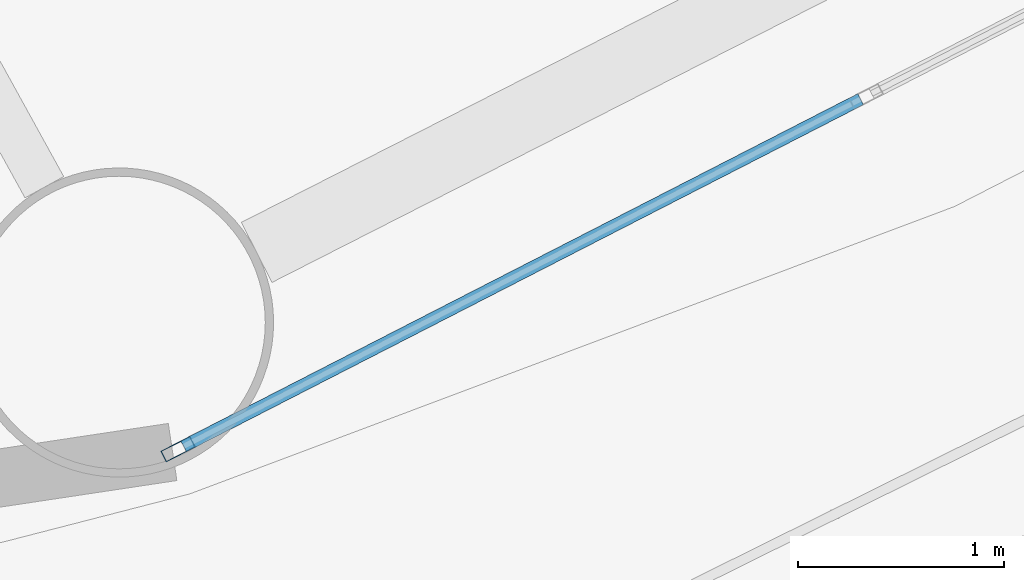
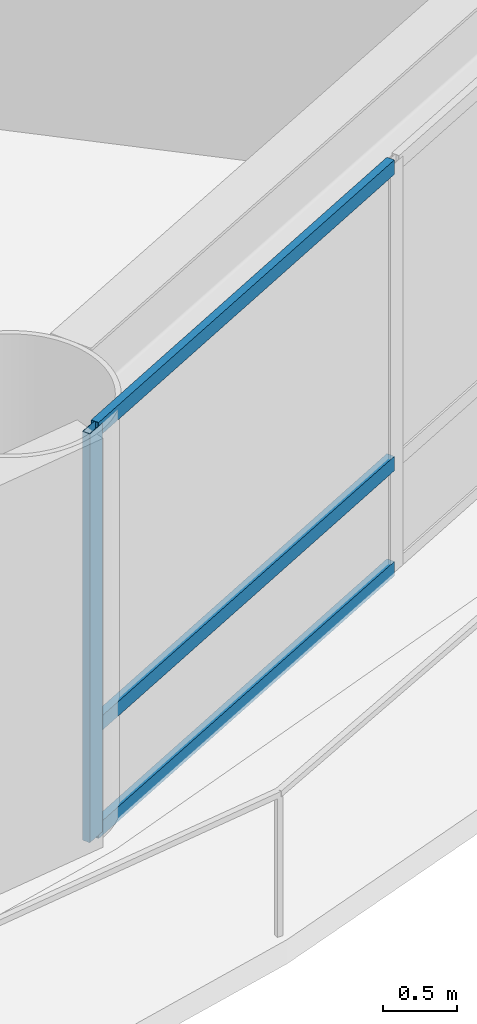
# One storey, part 6 of 28: 4 members, 1 element without a shape of its own.
"""IFC4 building model written with IfcOpenShell, lengths in metres."""

from ifc_helpers import new_model, si_unit, direction, frame, origin, origin_2d, place, context, subcontext, project, spatial, hollow_rectangle, extrude, material, layer, layer_set, material_profile, profile_set, type_object, element, aggregate, save


model = new_model("IFC4")

# Units and contexts
model_context = context("Model", 3, precision=1e-05, world=origin(), true_north=direction((0.0, 1.0)))
body_context = subcontext(model_context, "Body", "Model", "MODEL_VIEW")
ifc_project = project(units=[si_unit("LENGTHUNIT", "METRE"), si_unit("AREAUNIT", "SQUARE_METRE"), si_unit("VOLUMEUNIT", "CUBIC_METRE"), si_unit("PLANEANGLEUNIT", "RADIAN"), si_unit("MASSUNIT", "GRAM", prefix="KILO")], contexts=[model_context])

# Site, building, storey
site_placement = place(None, origin())
site = spatial("IfcSite", under=ifc_project, at=site_placement, CompositionType="ELEMENT")
building_placement = place(site_placement, origin())
building = spatial("IfcBuilding", under=site, at=building_placement, Name="Sarneth Arch Tower", CompositionType="ELEMENT")
storey_placement = place(building_placement, frame((0.0, 0.0, 67.800048828125)))
storey = spatial("IfcBuildingStorey", under=building, at=storey_placement, Name="L16", CompositionType="ELEMENT", Elevation=67.800048828125)

# Curtain wall, members
ifc_material_1 = material(Name="Anodised aluminium Type AA25 and solar-control low-e laminated IGU", Category="aluminium")
ifc_layer = layer(ifc_material_1, 0.159912109375)
ifc_layer_set = layer_set([ifc_layer], Name="Anodised aluminium Type AA25 and solar-control low-e laminated IGU")
curtain_wall_type = type_object("IfcCurtainWallType", Name="CW-HOTEL-LOW", PredefinedType="NOTDEFINED", material=ifc_layer_set)
curtain_wall_placement = place(storey_placement, origin())
curtain_wall = element("IfcCurtainWall", 1, at=curtain_wall_placement, inside=storey, type_object=curtain_wall_type, Name="L16 Unitised curtain wall facet 14", PredefinedType="NOTDEFINED")
ifc_material_2 = material(Name="Anodised Aluminium 6063-T6", Category="aluminium")
ifc_material_profile_1 = material_profile(ifc_material_2, hollow_rectangle(XDim=0.06005859375, YDim=0.159912109375, WallThickness=0.00390625, at=origin_2d()), Name="AL-MULL-160x60x4")
ifc_profile_set_1 = profile_set([ifc_material_profile_1], Name="Anodised Aluminium 6063-T6")
member_type_1 = type_object("IfcMemberType", Name="CW-MULLION", PredefinedType="MULLION", material=ifc_profile_set_1)
member_1_placement = place(storey_placement, frame((60.1044921875, 19.951416015625, 0.0), z_axis=(0.0, 0.0, 1.0), x_axis=(-0.456245197127, 0.889854100456, 0.0)))
member_1 = element("IfcMember", 2, at=member_1_placement, type_object=member_type_1, Name="CW-SYS-3 mullion 1", PredefinedType="MULLION", context=body_context, shape_type="SweptSolid", body=[
    extrude(hollow_rectangle(XDim=0.06005859375, YDim=0.159912109375, WallThickness=0.00390625, at=origin_2d()), origin(), (0.0, 0.0, 1.0), 3.3798828125),
])
ifc_material_3 = material(Name="Anodised Aluminium 6063-T6", Category="aluminium")
ifc_material_profile_2 = material_profile(ifc_material_3, hollow_rectangle(XDim=0.06005859375, YDim=0.1201171875, WallThickness=0.00390625, at=origin_2d()), Name="AL-TRAN-120x60x4")
ifc_profile_set_2 = profile_set([ifc_material_profile_2], Name="Anodised Aluminium 6063-T6")
member_type_2 = type_object("IfcMemberType", Name="CW-TRANSOM", PredefinedType="USERDEFINED", material=ifc_profile_set_2)
member_2_placement = place(storey_placement, frame((60.13134765625, 19.965087890625, 0.030029296875), z_axis=(0.889831232102, 0.456289796485, 0.0), x_axis=(-0.456289796485, 0.889831232102, 0.0)))
member_2 = element("IfcMember", 3, at=member_2_placement, type_object=member_type_2, Name="CW-SYS-3 transom 1.1", ObjectType="TRANSOM", PredefinedType="USERDEFINED", context=body_context, shape_type="SweptSolid", body=[
    extrude(hollow_rectangle(XDim=0.06005859375, YDim=0.1201171875, WallThickness=0.00390625, at=origin_2d()), origin(), (0.0, 0.0, 1.0), 3.69189453125),
])
member_3_placement = place(storey_placement, frame((60.13134765625, 19.965087890625, 0.89990234375), z_axis=(0.889831232102, 0.456289796485, 0.0), x_axis=(-0.456289796485, 0.889831232102, 0.0)))
member_3 = element("IfcMember", 4, at=member_3_placement, type_object=member_type_2, Name="CW-SYS-3 transom 1.2", ObjectType="TRANSOM", PredefinedType="USERDEFINED", context=body_context, shape_type="SweptSolid", body=[
    extrude(hollow_rectangle(XDim=0.06005859375, YDim=0.1201171875, WallThickness=0.00390625, at=origin_2d()), origin(), (0.0, 0.0, 1.0), 3.69189453125),
])
member_4_placement = place(storey_placement, frame((60.13134765625, 19.965087890625, 3.349853515625), z_axis=(0.889831232102, 0.456289796485, 0.0), x_axis=(-0.456289796485, 0.889831232102, 0.0)))
member_4 = element("IfcMember", 5, at=member_4_placement, type_object=member_type_2, Name="CW-SYS-3 transom 1.3", ObjectType="TRANSOM", PredefinedType="USERDEFINED", context=body_context, shape_type="SweptSolid", body=[
    extrude(hollow_rectangle(XDim=0.06005859375, YDim=0.1201171875, WallThickness=0.00390625, at=origin_2d()), origin(), (0.0, 0.0, 1.0), 3.69189453125),
])
aggregate(curtain_wall, [member_1, member_2, member_3, member_4])

save(model, "model.ifc")
